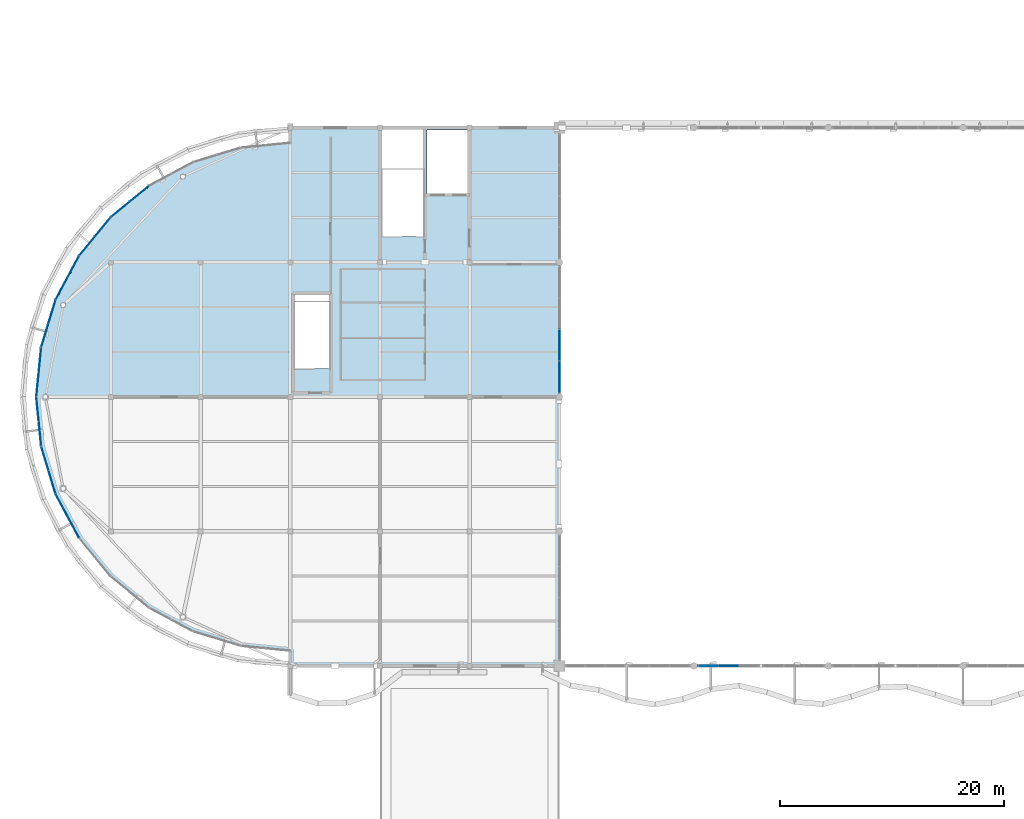
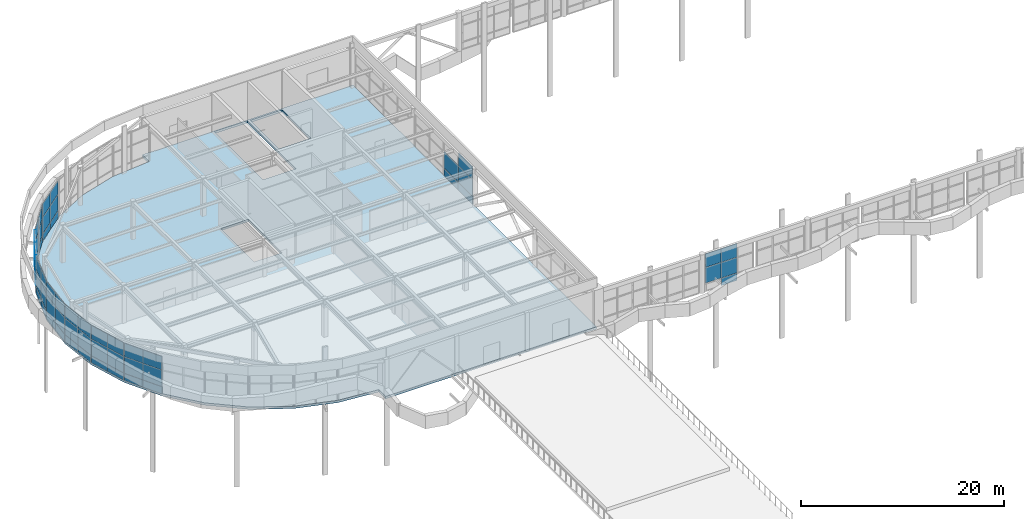
# One storey, part 34 of 63: 58 plates, 1 slab, 10 elements without a shape of their own.
"""IFC4 building model written with IfcOpenShell, lengths in metres."""

from ifc_helpers import new_model, si_unit, direction, frame, origin, origin_2d, place, context, subcontext, project, spatial, polyline, rectangle, outline, extrude, material, layer, layer_set, type_object, element, aggregate, save


model = new_model("IFC4")

# Units and contexts
model_context = context("Model", 3, precision=1e-05, world=origin(), true_north=direction((0.0, 1.0)))
body_context = subcontext(model_context, "Body", "Model", "MODEL_VIEW")
ifc_project = project(units=[si_unit("LENGTHUNIT", "METRE"), si_unit("AREAUNIT", "SQUARE_METRE"), si_unit("VOLUMEUNIT", "CUBIC_METRE"), si_unit("PLANEANGLEUNIT", "RADIAN"), si_unit("MASSUNIT", "GRAM", prefix="KILO")], contexts=[model_context])

# Site, building, storey
site_placement = place(None, origin())
site = spatial("IfcSite", under=ifc_project, at=site_placement, CompositionType="ELEMENT")
building_placement = place(site_placement, origin())
building = spatial("IfcBuilding", under=site, at=building_placement, Name="Keelwater Ferry Terminal", CompositionType="ELEMENT")
storey_placement = place(building_placement, frame((0.0, 0.0, 10.199951171875)))
storey = spatial("IfcBuildingStorey", under=building, at=storey_placement, Name="L02", CompositionType="ELEMENT", Elevation=10.199951171875)

# Curtain wall, plate
ifc_material_1 = material(Name="Thermally broken unitised aluminium and triple glass", Category="aluminium")
ifc_layer_1 = layer(ifc_material_1, 0.179931640625)
ifc_layer_set_1 = layer_set([ifc_layer_1], Name="Thermally broken unitised aluminium and triple glass")
curtain_wall_type_1 = type_object("IfcCurtainWallType", Name="CW-04 Unitised Curtain Wall 5430x4450", PredefinedType="USERDEFINED", material=ifc_layer_set_1)
curtain_wall_1_placement = place(storey_placement, origin())
curtain_wall_1 = element("IfcCurtainWall", 1, at=curtain_wall_1_placement, inside=storey, type_object=curtain_wall_type_1, Name="Unitised Curtain Wall CW-L02-013", ObjectType="UNITISED CURTAIN WALL", PredefinedType="USERDEFINED")
ifc_material_2 = material(Name="Insulated white cassette spandrel", Category="aluminium")
ifc_layer_2 = layer(ifc_material_2, 0.094970703125)
ifc_layer_set_2 = layer_set([ifc_layer_2], Name="Insulated white cassette spandrel")
plate_type_1 = type_object("IfcPlateType", Name="CWP-S2 Insulated Spandrel Panel 95", PredefinedType="CURTAIN_PANEL", material=ifc_layer_set_2)
plate_1_placement = place(storey_placement, frame((63.090087890625, 42.0, 0.0), z_axis=(0.0, 0.0, 1.0), x_axis=(1.0, 0.0, 0.0)))
plate_1 = element("IfcPlate", 2, at=plate_1_placement, type_object=plate_type_1, Name="CW-L02-013 Panel 2.1", PredefinedType="CURTAIN_PANEL", context=body_context, shape_type="SweptSolid", body=[
    extrude(rectangle(XDim=1.81005859375, YDim=0.094970703125, at=origin_2d()), origin(), (0.0, 0.0, 1.0), 0.89990234375),
])

# Curtain wall, plates
ifc_material_3 = material(Name="Thermally broken unitised aluminium and triple glass", Category="aluminium")
ifc_layer_3 = layer(ifc_material_3, 0.179931640625)
ifc_layer_set_3 = layer_set([ifc_layer_3], Name="Thermally broken unitised aluminium and triple glass")
curtain_wall_type_2 = type_object("IfcCurtainWallType", Name="CW-15 Unitised Curtain Wall 11250x4450", PredefinedType="USERDEFINED", material=ifc_layer_set_3)
curtain_wall_2_placement = place(storey_placement, origin())
curtain_wall_2 = element("IfcCurtainWall", 3, at=curtain_wall_2_placement, inside=storey, type_object=curtain_wall_type_2, Name="Unitised Curtain Wall CW-L02-072", ObjectType="UNITISED CURTAIN WALL", PredefinedType="USERDEFINED")
plate_2_placement = place(storey_placement, frame((48.0, 67.78125, 0.0), z_axis=(0.0, 0.0, 1.0), x_axis=(0.0, 1.0, 0.0)))
plate_2 = element("IfcPlate", 4, at=plate_2_placement, type_object=plate_type_1, Name="CW-L02-072 Panel 1.1", PredefinedType="CURTAIN_PANEL", context=body_context, shape_type="SweptSolid", body=[
    extrude(rectangle(XDim=2.8125, YDim=0.094970703125, at=origin_2d()), origin(), (0.0, 0.0, 1.0), 0.89990234375),
])
plate_3_placement = place(storey_placement, frame((48.0, 70.59375, 0.0), z_axis=(0.0, 0.0, 1.0), x_axis=(0.0, 1.0, 0.0)))
plate_3 = element("IfcPlate", 5, at=plate_3_placement, type_object=plate_type_1, Name="CW-L02-072 Panel 2.1", PredefinedType="CURTAIN_PANEL", context=body_context, shape_type="SweptSolid", body=[
    extrude(rectangle(XDim=2.8125, YDim=0.094970703125, at=origin_2d()), origin(), (0.0, 0.0, 1.0), 0.89990234375),
])

ifc_material_4 = material(Name="Thermally broken unitised aluminium and triple glass", Category="aluminium")
ifc_layer_4 = layer(ifc_material_4, 0.179931640625)
ifc_layer_set_4 = layer_set([ifc_layer_4], Name="Thermally broken unitised aluminium and triple glass")
curtain_wall_type_3 = type_object("IfcCurtainWallType", Name="CW-18 Unitised Curtain Wall 4350x4480", PredefinedType="USERDEFINED", material=ifc_layer_set_4)
curtain_wall_3_placement = place(storey_placement, origin())
curtain_wall_3 = element("IfcCurtainWall", 6, at=curtain_wall_3_placement, inside=storey, type_object=curtain_wall_type_3, Name="Unitised Curtain Wall CW-L02-144", ObjectType="UNITISED CURTAIN WALL", PredefinedType="USERDEFINED")
plate_4_placement = place(storey_placement, frame((10.54052734375, 84.1142578125, 0.0), z_axis=(0.0, 0.0, 1.0), x_axis=(-0.773024220086, -0.634376508991, 0.0)))
plate_4 = element("IfcPlate", 7, at=plate_4_placement, type_object=plate_type_1, Name="CW-L02-144 Panel 1.1", PredefinedType="CURTAIN_PANEL", context=body_context, shape_type="SweptSolid", body=[
    extrude(rectangle(XDim=2.174560546875, YDim=0.094970703125, at=origin_2d()), origin(), (0.0, 0.0, 1.0), 0.85009765625),
])
plate_5_placement = place(storey_placement, frame((8.859619140625, 82.73486328125, 0.0), z_axis=(0.0, 0.0, 1.0), x_axis=(-0.773024220086, -0.634376508991, 0.0)))
plate_5 = element("IfcPlate", 8, at=plate_5_placement, type_object=plate_type_1, Name="CW-L02-144 Panel 2.1", PredefinedType="CURTAIN_PANEL", context=body_context, shape_type="SweptSolid", body=[
    extrude(rectangle(XDim=2.174560546875, YDim=0.094970703125, at=origin_2d()), origin(), (0.0, 0.0, 1.0), 0.85009765625),
])

curtain_wall_4_placement = place(storey_placement, origin())
curtain_wall_4 = element("IfcCurtainWall", 9, at=curtain_wall_4_placement, inside=storey, type_object=curtain_wall_type_3, Name="Unitised Curtain Wall CW-L02-145", ObjectType="UNITISED CURTAIN WALL", PredefinedType="USERDEFINED")
plate_6_placement = place(storey_placement, frame((7.26513671875, 81.140380859375, 0.0), z_axis=(0.0, 0.0, 1.0), x_axis=(-0.634376508991, -0.773024220086, 0.0)))
plate_6 = element("IfcPlate", 10, at=plate_6_placement, type_object=plate_type_1, Name="CW-L02-145 Panel 1.1", PredefinedType="CURTAIN_PANEL", context=body_context, shape_type="SweptSolid", body=[
    extrude(rectangle(XDim=2.174560546875, YDim=0.094970703125, at=origin_2d()), origin(), (0.0, 0.0, 1.0), 0.85009765625),
])
plate_7_placement = place(storey_placement, frame((5.8857421875, 79.45947265625, 0.0), z_axis=(0.0, 0.0, 1.0), x_axis=(-0.634376508991, -0.773024220086, 0.0)))
plate_7 = element("IfcPlate", 11, at=plate_7_placement, type_object=plate_type_1, Name="CW-L02-145 Panel 2.1", PredefinedType="CURTAIN_PANEL", context=body_context, shape_type="SweptSolid", body=[
    extrude(rectangle(XDim=2.174560546875, YDim=0.094970703125, at=origin_2d()), origin(), (0.0, 0.0, 1.0), 0.85009765625),
])

curtain_wall_5_placement = place(storey_placement, origin())
curtain_wall_5 = element("IfcCurtainWall", 12, at=curtain_wall_5_placement, inside=storey, type_object=curtain_wall_type_3, Name="Unitised Curtain Wall CW-L02-146", ObjectType="UNITISED CURTAIN WALL", PredefinedType="USERDEFINED")
plate_8_placement = place(storey_placement, frame((4.63330078125, 77.5849609375, 0.0), z_axis=(0.0, 0.0, 1.0), x_axis=(-0.471506749303, -0.881862452632, 0.0)))
plate_8 = element("IfcPlate", 13, at=plate_8_placement, type_object=plate_type_1, Name="CW-L02-146 Panel 1.1", PredefinedType="CURTAIN_PANEL", context=body_context, shape_type="SweptSolid", body=[
    extrude(rectangle(XDim=2.175048828125, YDim=0.094970703125, at=origin_2d()), origin(), (0.0, 0.0, 1.0), 0.85009765625),
])
plate_9_placement = place(storey_placement, frame((3.607666015625, 75.6669921875, 0.0), z_axis=(0.0, 0.0, 1.0), x_axis=(-0.471506749303, -0.881862452632, 0.0)))
plate_9 = element("IfcPlate", 14, at=plate_9_placement, type_object=plate_type_1, Name="CW-L02-146 Panel 2.1", PredefinedType="CURTAIN_PANEL", context=body_context, shape_type="SweptSolid", body=[
    extrude(rectangle(XDim=2.175048828125, YDim=0.094970703125, at=origin_2d()), origin(), (0.0, 0.0, 1.0), 0.85009765625),
])

curtain_wall_6_placement = place(storey_placement, origin())
curtain_wall_6 = element("IfcCurtainWall", 15, at=curtain_wall_6_placement, inside=storey, type_object=curtain_wall_type_3, Name="Unitised Curtain Wall CW-L02-147", ObjectType="UNITISED CURTAIN WALL", PredefinedType="USERDEFINED")
plate_10_placement = place(storey_placement, frame((2.745361328125, 73.584228515625, 0.0), z_axis=(0.0, 0.0, 1.0), x_axis=(-0.290319989003, -0.956929623319, 0.0)))
plate_10 = element("IfcPlate", 16, at=plate_10_placement, type_object=plate_type_1, Name="CW-L02-147 Panel 1.1", PredefinedType="CURTAIN_PANEL", context=body_context, shape_type="SweptSolid", body=[
    extrude(rectangle(XDim=2.17529296875, YDim=0.094970703125, at=origin_2d()), origin(), (0.0, 0.0, 1.0), 0.85009765625),
])
plate_11_placement = place(storey_placement, frame((2.11376953125, 71.502685546875, 0.0), z_axis=(0.0, 0.0, 1.0), x_axis=(-0.290319989003, -0.956929623319, 0.0)))
plate_11 = element("IfcPlate", 17, at=plate_11_placement, type_object=plate_type_1, Name="CW-L02-147 Panel 2.1", PredefinedType="CURTAIN_PANEL", context=body_context, shape_type="SweptSolid", body=[
    extrude(rectangle(XDim=2.17529296875, YDim=0.094970703125, at=origin_2d()), origin(), (0.0, 0.0, 1.0), 0.85009765625),
])

curtain_wall_7_placement = place(storey_placement, origin())
curtain_wall_7 = element("IfcCurtainWall", 18, at=curtain_wall_7_placement, inside=storey, type_object=curtain_wall_type_3, Name="Unitised Curtain Wall CW-L02-148", ObjectType="UNITISED CURTAIN WALL", PredefinedType="USERDEFINED")
plate_12_placement = place(storey_placement, frame((1.67431640625, 69.291748046875, 0.0), z_axis=(0.0, 0.0, 1.0), x_axis=(-0.098160737969, -0.995170573079, 0.0)))
plate_12 = element("IfcPlate", 19, at=plate_12_placement, type_object=plate_type_1, Name="CW-L02-148 Panel 1.1", PredefinedType="CURTAIN_PANEL", context=body_context, shape_type="SweptSolid", body=[
    extrude(rectangle(XDim=2.175048828125, YDim=0.094970703125, at=origin_2d()), origin(), (0.0, 0.0, 1.0), 0.85009765625),
])
plate_13_placement = place(storey_placement, frame((1.460693359375, 67.127197265625, 0.0), z_axis=(0.0, 0.0, 1.0), x_axis=(-0.098160737969, -0.995170573079, 0.0)))
plate_13 = element("IfcPlate", 20, at=plate_13_placement, type_object=plate_type_1, Name="CW-L02-148 Panel 2.1", PredefinedType="CURTAIN_PANEL", context=body_context, shape_type="SweptSolid", body=[
    extrude(rectangle(XDim=2.175048828125, YDim=0.094970703125, at=origin_2d()), origin(), (0.0, 0.0, 1.0), 0.85009765625),
])

curtain_wall_8_placement = place(storey_placement, origin())
curtain_wall_8 = element("IfcCurtainWall", 21, at=curtain_wall_8_placement, inside=storey, type_object=curtain_wall_type_3, Name="Unitised Curtain Wall CW-L02-149", ObjectType="UNITISED CURTAIN WALL", PredefinedType="USERDEFINED")
plate_14_placement = place(storey_placement, frame((1.460693359375, 64.872802734375, 0.0), z_axis=(0.0, 0.0, 1.0), x_axis=(0.098160737969, -0.995170573079, 0.0)))
plate_14 = element("IfcPlate", 22, at=plate_14_placement, type_object=plate_type_1, Name="CW-L02-149 Panel 1.1", PredefinedType="CURTAIN_PANEL", context=body_context, shape_type="SweptSolid", body=[
    extrude(rectangle(XDim=2.175048828125, YDim=0.094970703125, at=origin_2d()), origin(), (0.0, 0.0, 1.0), 0.85009765625),
])
plate_15_placement = place(storey_placement, frame((1.67431640625, 62.708251953125, 0.0), z_axis=(0.0, 0.0, 1.0), x_axis=(0.098160737969, -0.995170573079, 0.0)))
plate_15 = element("IfcPlate", 23, at=plate_15_placement, type_object=plate_type_1, Name="CW-L02-149 Panel 2.1", PredefinedType="CURTAIN_PANEL", context=body_context, shape_type="SweptSolid", body=[
    extrude(rectangle(XDim=2.175048828125, YDim=0.094970703125, at=origin_2d()), origin(), (0.0, 0.0, 1.0), 0.85009765625),
])

curtain_wall_9_placement = place(storey_placement, origin())
curtain_wall_9 = element("IfcCurtainWall", 24, at=curtain_wall_9_placement, inside=storey, type_object=curtain_wall_type_3, Name="Unitised Curtain Wall CW-L02-150", ObjectType="UNITISED CURTAIN WALL", PredefinedType="USERDEFINED")
plate_16_placement = place(storey_placement, frame((2.11376953125, 60.497314453125, 0.0), z_axis=(0.0, 0.0, 1.0), x_axis=(0.290319989003, -0.956929623319, 0.0)))
plate_16 = element("IfcPlate", 25, at=plate_16_placement, type_object=plate_type_1, Name="CW-L02-150 Panel 1.1", PredefinedType="CURTAIN_PANEL", context=body_context, shape_type="SweptSolid", body=[
    extrude(rectangle(XDim=2.17529296875, YDim=0.094970703125, at=origin_2d()), origin(), (0.0, 0.0, 1.0), 0.85009765625),
])
plate_17_placement = place(storey_placement, frame((2.745361328125, 58.415771484375, 0.0), z_axis=(0.0, 0.0, 1.0), x_axis=(0.290319989003, -0.956929623319, 0.0)))
plate_17 = element("IfcPlate", 26, at=plate_17_placement, type_object=plate_type_1, Name="CW-L02-150 Panel 2.1", PredefinedType="CURTAIN_PANEL", context=body_context, shape_type="SweptSolid", body=[
    extrude(rectangle(XDim=2.17529296875, YDim=0.094970703125, at=origin_2d()), origin(), (0.0, 0.0, 1.0), 0.85009765625),
])

curtain_wall_10_placement = place(storey_placement, origin())
curtain_wall_10 = element("IfcCurtainWall", 27, at=curtain_wall_10_placement, inside=storey, type_object=curtain_wall_type_3, Name="Unitised Curtain Wall CW-L02-151", ObjectType="UNITISED CURTAIN WALL", PredefinedType="USERDEFINED")
plate_18_placement = place(storey_placement, frame((3.607666015625, 56.3330078125, 0.0), z_axis=(0.0, 0.0, 1.0), x_axis=(0.471506749303, -0.881862452632, 0.0)))
plate_18 = element("IfcPlate", 28, at=plate_18_placement, type_object=plate_type_1, Name="CW-L02-151 Panel 1.1", PredefinedType="CURTAIN_PANEL", context=body_context, shape_type="SweptSolid", body=[
    extrude(rectangle(XDim=2.175048828125, YDim=0.094970703125, at=origin_2d()), origin(), (0.0, 0.0, 1.0), 0.85009765625),
])
plate_19_placement = place(storey_placement, frame((4.63330078125, 54.4150390625, 0.0), z_axis=(0.0, 0.0, 1.0), x_axis=(0.471506749303, -0.881862452632, 0.0)))
plate_19 = element("IfcPlate", 29, at=plate_19_placement, type_object=plate_type_1, Name="CW-L02-151 Panel 2.1", PredefinedType="CURTAIN_PANEL", context=body_context, shape_type="SweptSolid", body=[
    extrude(rectangle(XDim=2.175048828125, YDim=0.094970703125, at=origin_2d()), origin(), (0.0, 0.0, 1.0), 0.85009765625),
])

# Plate
ifc_material_5 = material(Name="Triple low-E laminated glass", Category="glass")
ifc_layer_5 = layer(ifc_material_5, 0.035888671875)
ifc_layer_set_5 = layer_set([ifc_layer_5], Name="Triple low-E laminated glass")
plate_type_2 = type_object("IfcPlateType", Name="CWP-V1 Glazed Vision Panel 36", PredefinedType="CURTAIN_PANEL", material=ifc_layer_set_5)
plate_20_placement = place(storey_placement, frame((10.54052734375, 84.1142578125, 0.85009765625), z_axis=(0.0, 0.0, 1.0), x_axis=(-0.773024220086, -0.634376508991, 0.0)))
plate_20 = element("IfcPlate", 30, at=plate_20_placement, type_object=plate_type_2, Name="CW-L02-144 Panel 1.2", PredefinedType="CURTAIN_PANEL", context=body_context, shape_type="SweptSolid", body=[
    extrude(rectangle(XDim=2.174560546875, YDim=0.035888671875, at=origin_2d()), origin(), (0.0, 0.0, 1.0), 2.0),
])

plate_21_placement = place(storey_placement, frame((10.54052734375, 84.1142578125, 2.85009765625), z_axis=(0.0, 0.0, 1.0), x_axis=(-0.773024220086, -0.634376508991, 0.0)))
plate_21 = element("IfcPlate", 31, at=plate_21_placement, type_object=plate_type_2, Name="CW-L02-144 Panel 1.3", PredefinedType="CURTAIN_PANEL", context=body_context, shape_type="SweptSolid", body=[
    extrude(rectangle(XDim=2.174560546875, YDim=0.035888671875, at=origin_2d()), origin(), (0.0, 0.0, 1.0), 1.6298828125),
])

plate_22_placement = place(storey_placement, frame((8.859619140625, 82.73486328125, 0.85009765625), z_axis=(0.0, 0.0, 1.0), x_axis=(-0.773024220086, -0.634376508991, 0.0)))
plate_22 = element("IfcPlate", 32, at=plate_22_placement, type_object=plate_type_2, Name="CW-L02-144 Panel 2.2", PredefinedType="CURTAIN_PANEL", context=body_context, shape_type="SweptSolid", body=[
    extrude(rectangle(XDim=2.174560546875, YDim=0.035888671875, at=origin_2d()), origin(), (0.0, 0.0, 1.0), 2.0),
])

plate_23_placement = place(storey_placement, frame((8.859619140625, 82.73486328125, 2.85009765625), z_axis=(0.0, 0.0, 1.0), x_axis=(-0.773024220086, -0.634376508991, 0.0)))
plate_23 = element("IfcPlate", 33, at=plate_23_placement, type_object=plate_type_2, Name="CW-L02-144 Panel 2.3", PredefinedType="CURTAIN_PANEL", context=body_context, shape_type="SweptSolid", body=[
    extrude(rectangle(XDim=2.174560546875, YDim=0.035888671875, at=origin_2d()), origin(), (0.0, 0.0, 1.0), 1.6298828125),
])

aggregate(curtain_wall_3, [plate_4, plate_20, plate_21, plate_5, plate_22, plate_23])

plate_24_placement = place(storey_placement, frame((7.26513671875, 81.140380859375, 0.85009765625), z_axis=(0.0, 0.0, 1.0), x_axis=(-0.634376508991, -0.773024220086, 0.0)))
plate_24 = element("IfcPlate", 34, at=plate_24_placement, type_object=plate_type_2, Name="CW-L02-145 Panel 1.2", PredefinedType="CURTAIN_PANEL", context=body_context, shape_type="SweptSolid", body=[
    extrude(rectangle(XDim=2.174560546875, YDim=0.035888671875, at=origin_2d()), origin(), (0.0, 0.0, 1.0), 2.0),
])

plate_25_placement = place(storey_placement, frame((7.26513671875, 81.140380859375, 2.85009765625), z_axis=(0.0, 0.0, 1.0), x_axis=(-0.634376508991, -0.773024220086, 0.0)))
plate_25 = element("IfcPlate", 35, at=plate_25_placement, type_object=plate_type_2, Name="CW-L02-145 Panel 1.3", PredefinedType="CURTAIN_PANEL", context=body_context, shape_type="SweptSolid", body=[
    extrude(rectangle(XDim=2.174560546875, YDim=0.035888671875, at=origin_2d()), origin(), (0.0, 0.0, 1.0), 1.6298828125),
])

plate_26_placement = place(storey_placement, frame((5.8857421875, 79.45947265625, 0.85009765625), z_axis=(0.0, 0.0, 1.0), x_axis=(-0.634376508991, -0.773024220086, 0.0)))
plate_26 = element("IfcPlate", 36, at=plate_26_placement, type_object=plate_type_2, Name="CW-L02-145 Panel 2.2", PredefinedType="CURTAIN_PANEL", context=body_context, shape_type="SweptSolid", body=[
    extrude(rectangle(XDim=2.174560546875, YDim=0.035888671875, at=origin_2d()), origin(), (0.0, 0.0, 1.0), 2.0),
])

plate_27_placement = place(storey_placement, frame((5.8857421875, 79.45947265625, 2.85009765625), z_axis=(0.0, 0.0, 1.0), x_axis=(-0.634376508991, -0.773024220086, 0.0)))
plate_27 = element("IfcPlate", 37, at=plate_27_placement, type_object=plate_type_2, Name="CW-L02-145 Panel 2.3", PredefinedType="CURTAIN_PANEL", context=body_context, shape_type="SweptSolid", body=[
    extrude(rectangle(XDim=2.174560546875, YDim=0.035888671875, at=origin_2d()), origin(), (0.0, 0.0, 1.0), 1.6298828125),
])

aggregate(curtain_wall_4, [plate_6, plate_24, plate_25, plate_7, plate_26, plate_27])

plate_28_placement = place(storey_placement, frame((4.63330078125, 77.5849609375, 0.85009765625), z_axis=(0.0, 0.0, 1.0), x_axis=(-0.471506749303, -0.881862452632, 0.0)))
plate_28 = element("IfcPlate", 38, at=plate_28_placement, type_object=plate_type_2, Name="CW-L02-146 Panel 1.2", PredefinedType="CURTAIN_PANEL", context=body_context, shape_type="SweptSolid", body=[
    extrude(rectangle(XDim=2.175048828125, YDim=0.035888671875, at=origin_2d()), origin(), (0.0, 0.0, 1.0), 2.0),
])

plate_29_placement = place(storey_placement, frame((4.63330078125, 77.5849609375, 2.85009765625), z_axis=(0.0, 0.0, 1.0), x_axis=(-0.471506749303, -0.881862452632, 0.0)))
plate_29 = element("IfcPlate", 39, at=plate_29_placement, type_object=plate_type_2, Name="CW-L02-146 Panel 1.3", PredefinedType="CURTAIN_PANEL", context=body_context, shape_type="SweptSolid", body=[
    extrude(rectangle(XDim=2.175048828125, YDim=0.035888671875, at=origin_2d()), origin(), (0.0, 0.0, 1.0), 1.6298828125),
])

plate_30_placement = place(storey_placement, frame((3.607666015625, 75.6669921875, 0.85009765625), z_axis=(0.0, 0.0, 1.0), x_axis=(-0.471506749303, -0.881862452632, 0.0)))
plate_30 = element("IfcPlate", 40, at=plate_30_placement, type_object=plate_type_2, Name="CW-L02-146 Panel 2.2", PredefinedType="CURTAIN_PANEL", context=body_context, shape_type="SweptSolid", body=[
    extrude(rectangle(XDim=2.175048828125, YDim=0.035888671875, at=origin_2d()), origin(), (0.0, 0.0, 1.0), 2.0),
])

plate_31_placement = place(storey_placement, frame((3.607666015625, 75.6669921875, 2.85009765625), z_axis=(0.0, 0.0, 1.0), x_axis=(-0.471506749303, -0.881862452632, 0.0)))
plate_31 = element("IfcPlate", 41, at=plate_31_placement, type_object=plate_type_2, Name="CW-L02-146 Panel 2.3", PredefinedType="CURTAIN_PANEL", context=body_context, shape_type="SweptSolid", body=[
    extrude(rectangle(XDim=2.175048828125, YDim=0.035888671875, at=origin_2d()), origin(), (0.0, 0.0, 1.0), 1.6298828125),
])

aggregate(curtain_wall_5, [plate_8, plate_28, plate_29, plate_9, plate_30, plate_31])

plate_32_placement = place(storey_placement, frame((2.745361328125, 73.584228515625, 0.85009765625), z_axis=(0.0, 0.0, 1.0), x_axis=(-0.290319989003, -0.956929623319, 0.0)))
plate_32 = element("IfcPlate", 42, at=plate_32_placement, type_object=plate_type_2, Name="CW-L02-147 Panel 1.2", PredefinedType="CURTAIN_PANEL", context=body_context, shape_type="SweptSolid", body=[
    extrude(rectangle(XDim=2.17529296875, YDim=0.035888671875, at=origin_2d()), origin(), (0.0, 0.0, 1.0), 2.0),
])

plate_33_placement = place(storey_placement, frame((2.745361328125, 73.584228515625, 2.85009765625), z_axis=(0.0, 0.0, 1.0), x_axis=(-0.290319989003, -0.956929623319, 0.0)))
plate_33 = element("IfcPlate", 43, at=plate_33_placement, type_object=plate_type_2, Name="CW-L02-147 Panel 1.3", PredefinedType="CURTAIN_PANEL", context=body_context, shape_type="SweptSolid", body=[
    extrude(rectangle(XDim=2.17529296875, YDim=0.035888671875, at=origin_2d()), origin(), (0.0, 0.0, 1.0), 1.6298828125),
])

plate_34_placement = place(storey_placement, frame((2.11376953125, 71.502685546875, 0.85009765625), z_axis=(0.0, 0.0, 1.0), x_axis=(-0.290319989003, -0.956929623319, 0.0)))
plate_34 = element("IfcPlate", 44, at=plate_34_placement, type_object=plate_type_2, Name="CW-L02-147 Panel 2.2", PredefinedType="CURTAIN_PANEL", context=body_context, shape_type="SweptSolid", body=[
    extrude(rectangle(XDim=2.17529296875, YDim=0.035888671875, at=origin_2d()), origin(), (0.0, 0.0, 1.0), 2.0),
])

plate_35_placement = place(storey_placement, frame((2.11376953125, 71.502685546875, 2.85009765625), z_axis=(0.0, 0.0, 1.0), x_axis=(-0.290319989003, -0.956929623319, 0.0)))
plate_35 = element("IfcPlate", 45, at=plate_35_placement, type_object=plate_type_2, Name="CW-L02-147 Panel 2.3", PredefinedType="CURTAIN_PANEL", context=body_context, shape_type="SweptSolid", body=[
    extrude(rectangle(XDim=2.17529296875, YDim=0.035888671875, at=origin_2d()), origin(), (0.0, 0.0, 1.0), 1.6298828125),
])

aggregate(curtain_wall_6, [plate_10, plate_32, plate_33, plate_11, plate_34, plate_35])

plate_36_placement = place(storey_placement, frame((1.67431640625, 69.291748046875, 0.85009765625), z_axis=(0.0, 0.0, 1.0), x_axis=(-0.098160737969, -0.995170573079, 0.0)))
plate_36 = element("IfcPlate", 46, at=plate_36_placement, type_object=plate_type_2, Name="CW-L02-148 Panel 1.2", PredefinedType="CURTAIN_PANEL", context=body_context, shape_type="SweptSolid", body=[
    extrude(rectangle(XDim=2.175048828125, YDim=0.035888671875, at=origin_2d()), origin(), (0.0, 0.0, 1.0), 2.0),
])

plate_37_placement = place(storey_placement, frame((1.67431640625, 69.291748046875, 2.85009765625), z_axis=(0.0, 0.0, 1.0), x_axis=(-0.098160737969, -0.995170573079, 0.0)))
plate_37 = element("IfcPlate", 47, at=plate_37_placement, type_object=plate_type_2, Name="CW-L02-148 Panel 1.3", PredefinedType="CURTAIN_PANEL", context=body_context, shape_type="SweptSolid", body=[
    extrude(rectangle(XDim=2.175048828125, YDim=0.035888671875, at=origin_2d()), origin(), (0.0, 0.0, 1.0), 1.6298828125),
])

plate_38_placement = place(storey_placement, frame((1.460693359375, 67.127197265625, 0.85009765625), z_axis=(0.0, 0.0, 1.0), x_axis=(-0.098160737969, -0.995170573079, 0.0)))
plate_38 = element("IfcPlate", 48, at=plate_38_placement, type_object=plate_type_2, Name="CW-L02-148 Panel 2.2", PredefinedType="CURTAIN_PANEL", context=body_context, shape_type="SweptSolid", body=[
    extrude(rectangle(XDim=2.175048828125, YDim=0.035888671875, at=origin_2d()), origin(), (0.0, 0.0, 1.0), 2.0),
])

plate_39_placement = place(storey_placement, frame((1.460693359375, 67.127197265625, 2.85009765625), z_axis=(0.0, 0.0, 1.0), x_axis=(-0.098160737969, -0.995170573079, 0.0)))
plate_39 = element("IfcPlate", 49, at=plate_39_placement, type_object=plate_type_2, Name="CW-L02-148 Panel 2.3", PredefinedType="CURTAIN_PANEL", context=body_context, shape_type="SweptSolid", body=[
    extrude(rectangle(XDim=2.175048828125, YDim=0.035888671875, at=origin_2d()), origin(), (0.0, 0.0, 1.0), 1.6298828125),
])

aggregate(curtain_wall_7, [plate_12, plate_36, plate_37, plate_13, plate_38, plate_39])

plate_40_placement = place(storey_placement, frame((1.460693359375, 64.872802734375, 0.85009765625), z_axis=(0.0, 0.0, 1.0), x_axis=(0.098160737969, -0.995170573079, 0.0)))
plate_40 = element("IfcPlate", 50, at=plate_40_placement, type_object=plate_type_2, Name="CW-L02-149 Panel 1.2", PredefinedType="CURTAIN_PANEL", context=body_context, shape_type="SweptSolid", body=[
    extrude(rectangle(XDim=2.175048828125, YDim=0.035888671875, at=origin_2d()), origin(), (0.0, 0.0, 1.0), 2.0),
])

plate_41_placement = place(storey_placement, frame((1.460693359375, 64.872802734375, 2.85009765625), z_axis=(0.0, 0.0, 1.0), x_axis=(0.098160737969, -0.995170573079, 0.0)))
plate_41 = element("IfcPlate", 51, at=plate_41_placement, type_object=plate_type_2, Name="CW-L02-149 Panel 1.3", PredefinedType="CURTAIN_PANEL", context=body_context, shape_type="SweptSolid", body=[
    extrude(rectangle(XDim=2.175048828125, YDim=0.035888671875, at=origin_2d()), origin(), (0.0, 0.0, 1.0), 1.6298828125),
])

plate_42_placement = place(storey_placement, frame((1.67431640625, 62.708251953125, 0.85009765625), z_axis=(0.0, 0.0, 1.0), x_axis=(0.098160737969, -0.995170573079, 0.0)))
plate_42 = element("IfcPlate", 52, at=plate_42_placement, type_object=plate_type_2, Name="CW-L02-149 Panel 2.2", PredefinedType="CURTAIN_PANEL", context=body_context, shape_type="SweptSolid", body=[
    extrude(rectangle(XDim=2.175048828125, YDim=0.035888671875, at=origin_2d()), origin(), (0.0, 0.0, 1.0), 2.0),
])

plate_43_placement = place(storey_placement, frame((1.67431640625, 62.708251953125, 2.85009765625), z_axis=(0.0, 0.0, 1.0), x_axis=(0.098160737969, -0.995170573079, 0.0)))
plate_43 = element("IfcPlate", 53, at=plate_43_placement, type_object=plate_type_2, Name="CW-L02-149 Panel 2.3", PredefinedType="CURTAIN_PANEL", context=body_context, shape_type="SweptSolid", body=[
    extrude(rectangle(XDim=2.175048828125, YDim=0.035888671875, at=origin_2d()), origin(), (0.0, 0.0, 1.0), 1.6298828125),
])

aggregate(curtain_wall_8, [plate_14, plate_40, plate_41, plate_15, plate_42, plate_43])

plate_44_placement = place(storey_placement, frame((2.11376953125, 60.497314453125, 0.85009765625), z_axis=(0.0, 0.0, 1.0), x_axis=(0.290319989003, -0.956929623319, 0.0)))
plate_44 = element("IfcPlate", 54, at=plate_44_placement, type_object=plate_type_2, Name="CW-L02-150 Panel 1.2", PredefinedType="CURTAIN_PANEL", context=body_context, shape_type="SweptSolid", body=[
    extrude(rectangle(XDim=2.17529296875, YDim=0.035888671875, at=origin_2d()), origin(), (0.0, 0.0, 1.0), 2.0),
])

plate_45_placement = place(storey_placement, frame((2.11376953125, 60.497314453125, 2.85009765625), z_axis=(0.0, 0.0, 1.0), x_axis=(0.290319989003, -0.956929623319, 0.0)))
plate_45 = element("IfcPlate", 55, at=plate_45_placement, type_object=plate_type_2, Name="CW-L02-150 Panel 1.3", PredefinedType="CURTAIN_PANEL", context=body_context, shape_type="SweptSolid", body=[
    extrude(rectangle(XDim=2.17529296875, YDim=0.035888671875, at=origin_2d()), origin(), (0.0, 0.0, 1.0), 1.6298828125),
])

plate_46_placement = place(storey_placement, frame((2.745361328125, 58.415771484375, 0.85009765625), z_axis=(0.0, 0.0, 1.0), x_axis=(0.290319989003, -0.956929623319, 0.0)))
plate_46 = element("IfcPlate", 56, at=plate_46_placement, type_object=plate_type_2, Name="CW-L02-150 Panel 2.2", PredefinedType="CURTAIN_PANEL", context=body_context, shape_type="SweptSolid", body=[
    extrude(rectangle(XDim=2.17529296875, YDim=0.035888671875, at=origin_2d()), origin(), (0.0, 0.0, 1.0), 2.0),
])

plate_47_placement = place(storey_placement, frame((2.745361328125, 58.415771484375, 2.85009765625), z_axis=(0.0, 0.0, 1.0), x_axis=(0.290319989003, -0.956929623319, 0.0)))
plate_47 = element("IfcPlate", 57, at=plate_47_placement, type_object=plate_type_2, Name="CW-L02-150 Panel 2.3", PredefinedType="CURTAIN_PANEL", context=body_context, shape_type="SweptSolid", body=[
    extrude(rectangle(XDim=2.17529296875, YDim=0.035888671875, at=origin_2d()), origin(), (0.0, 0.0, 1.0), 1.6298828125),
])

aggregate(curtain_wall_9, [plate_16, plate_44, plate_45, plate_17, plate_46, plate_47])

plate_48_placement = place(storey_placement, frame((3.607666015625, 56.3330078125, 0.85009765625), z_axis=(0.0, 0.0, 1.0), x_axis=(0.471506749303, -0.881862452632, 0.0)))
plate_48 = element("IfcPlate", 58, at=plate_48_placement, type_object=plate_type_2, Name="CW-L02-151 Panel 1.2", PredefinedType="CURTAIN_PANEL", context=body_context, shape_type="SweptSolid", body=[
    extrude(rectangle(XDim=2.175048828125, YDim=0.035888671875, at=origin_2d()), origin(), (0.0, 0.0, 1.0), 2.0),
])

plate_49_placement = place(storey_placement, frame((3.607666015625, 56.3330078125, 2.85009765625), z_axis=(0.0, 0.0, 1.0), x_axis=(0.471506749303, -0.881862452632, 0.0)))
plate_49 = element("IfcPlate", 59, at=plate_49_placement, type_object=plate_type_2, Name="CW-L02-151 Panel 1.3", PredefinedType="CURTAIN_PANEL", context=body_context, shape_type="SweptSolid", body=[
    extrude(rectangle(XDim=2.175048828125, YDim=0.035888671875, at=origin_2d()), origin(), (0.0, 0.0, 1.0), 1.6298828125),
])

plate_50_placement = place(storey_placement, frame((4.63330078125, 54.4150390625, 0.85009765625), z_axis=(0.0, 0.0, 1.0), x_axis=(0.471506749303, -0.881862452632, 0.0)))
plate_50 = element("IfcPlate", 60, at=plate_50_placement, type_object=plate_type_2, Name="CW-L02-151 Panel 2.2", PredefinedType="CURTAIN_PANEL", context=body_context, shape_type="SweptSolid", body=[
    extrude(rectangle(XDim=2.175048828125, YDim=0.035888671875, at=origin_2d()), origin(), (0.0, 0.0, 1.0), 2.0),
])

plate_51_placement = place(storey_placement, frame((4.63330078125, 54.4150390625, 2.85009765625), z_axis=(0.0, 0.0, 1.0), x_axis=(0.471506749303, -0.881862452632, 0.0)))
plate_51 = element("IfcPlate", 61, at=plate_51_placement, type_object=plate_type_2, Name="CW-L02-151 Panel 2.3", PredefinedType="CURTAIN_PANEL", context=body_context, shape_type="SweptSolid", body=[
    extrude(rectangle(XDim=2.175048828125, YDim=0.035888671875, at=origin_2d()), origin(), (0.0, 0.0, 1.0), 1.6298828125),
])

aggregate(curtain_wall_10, [plate_18, plate_48, plate_49, plate_19, plate_50, plate_51])

ifc_material_6 = material(Name="Triple solar-control glass", Category="glass")
ifc_layer_6 = layer(ifc_material_6, 0.0419921875)
ifc_layer_set_6 = layer_set([ifc_layer_6], Name="Triple solar-control glass")
plate_type_3 = type_object("IfcPlateType", Name="CWP-V2 Glazed Vision Panel 42", PredefinedType="CURTAIN_PANEL", material=ifc_layer_set_6)
plate_52_placement = place(storey_placement, frame((61.280029296875, 42.0, 0.900146484375), z_axis=(0.0, 0.0, 1.0), x_axis=(1.0, 0.0, 0.0)))
plate_52 = element("IfcPlate", 62, at=plate_52_placement, type_object=plate_type_3, Name="CW-L02-013 Panel 1.2", PredefinedType="CURTAIN_PANEL", context=body_context, shape_type="SweptSolid", body=[
    extrude(rectangle(XDim=1.81005859375, YDim=0.0419921875, at=origin_2d()), origin(), (0.0, 0.0, 1.0), 1.89990234375),
])

plate_53_placement = place(storey_placement, frame((61.280029296875, 42.0, 2.800048828125), z_axis=(0.0, 0.0, 1.0), x_axis=(1.0, 0.0, 0.0)))
plate_53 = element("IfcPlate", 63, at=plate_53_placement, type_object=plate_type_3, Name="CW-L02-013 Panel 1.3", PredefinedType="CURTAIN_PANEL", context=body_context, shape_type="SweptSolid", body=[
    extrude(rectangle(XDim=1.81005859375, YDim=0.0419921875, at=origin_2d()), origin(), (0.0, 0.0, 1.0), 1.64990234375),
])

plate_54_placement = place(storey_placement, frame((63.090087890625, 42.0, 0.900146484375), z_axis=(0.0, 0.0, 1.0), x_axis=(1.0, 0.0, 0.0)))
plate_54 = element("IfcPlate", 64, at=plate_54_placement, type_object=plate_type_3, Name="CW-L02-013 Panel 2.2", PredefinedType="CURTAIN_PANEL", context=body_context, shape_type="SweptSolid", body=[
    extrude(rectangle(XDim=1.81005859375, YDim=0.0419921875, at=origin_2d()), origin(), (0.0, 0.0, 1.0), 1.89990234375),
])

plate_55_placement = place(storey_placement, frame((63.090087890625, 42.0, 2.800048828125), z_axis=(0.0, 0.0, 1.0), x_axis=(1.0, 0.0, 0.0)))
plate_55 = element("IfcPlate", 65, at=plate_55_placement, type_object=plate_type_3, Name="CW-L02-013 Panel 2.3", PredefinedType="CURTAIN_PANEL", context=body_context, shape_type="SweptSolid", body=[
    extrude(rectangle(XDim=1.81005859375, YDim=0.0419921875, at=origin_2d()), origin(), (0.0, 0.0, 1.0), 1.64990234375),
])

aggregate(curtain_wall_1, [plate_52, plate_53, plate_1, plate_54, plate_55])

plate_56_placement = place(storey_placement, frame((48.0, 67.78125, 0.900146484375), z_axis=(0.0, 0.0, 1.0), x_axis=(0.0, 1.0, 0.0)))
plate_56 = element("IfcPlate", 66, at=plate_56_placement, type_object=plate_type_3, Name="CW-L02-072 Panel 1.2", PredefinedType="CURTAIN_PANEL", context=body_context, shape_type="SweptSolid", body=[
    extrude(rectangle(XDim=2.8125, YDim=0.0419921875, at=origin_2d()), origin(), (0.0, 0.0, 1.0), 2.0),
])

plate_57_placement = place(storey_placement, frame((48.0, 67.78125, 2.89990234375), z_axis=(0.0, 0.0, 1.0), x_axis=(0.0, 1.0, 0.0)))
plate_57 = element("IfcPlate", 67, at=plate_57_placement, type_object=plate_type_3, Name="CW-L02-072 Panel 1.3", PredefinedType="CURTAIN_PANEL", context=body_context, shape_type="SweptSolid", body=[
    extrude(rectangle(XDim=2.8125, YDim=0.0419921875, at=origin_2d()), origin(), (0.0, 0.0, 1.0), 1.550048828125),
])

plate_58_placement = place(storey_placement, frame((48.0, 70.59375, 0.900146484375), z_axis=(0.0, 0.0, 1.0), x_axis=(0.0, 1.0, 0.0)))
plate_58 = element("IfcPlate", 68, at=plate_58_placement, type_object=plate_type_3, Name="CW-L02-072 Panel 2.2", PredefinedType="CURTAIN_PANEL", context=body_context, shape_type="SweptSolid", body=[
    extrude(rectangle(XDim=2.8125, YDim=0.0419921875, at=origin_2d()), origin(), (0.0, 0.0, 1.0), 2.0),
])

aggregate(curtain_wall_2, [plate_2, plate_56, plate_57, plate_3, plate_58])

# Slab
ifc_material_7 = material(Name="Concrete C40/50", Category="concrete")
ifc_layer_7 = layer(ifc_material_7, 0.280029296875)
ifc_layer_set_7 = layer_set([ifc_layer_7], Name="Concrete C40/50")
slab_type = type_object("IfcSlabType", Name="SL-F280 Suspended Floor Slab 280", PredefinedType="FLOOR", material=ifc_layer_set_7)
slab_placement = place(storey_placement, frame((0.0, 0.0, -0.280029296875)))
element("IfcSlab", 69, at=slab_placement, inside=storey, type_object=slab_type, Name="V4 Level L02 Semicircular Hall Slab SL-L02-040", PredefinedType="FLOOR", context=body_context, shape_type="SweptSolid", body=[
    extrude(outline(polyline([(24.0, 90.0), (24.0, 88.64990234375), (19.5810546875, 88.215087890625), (15.33203125, 86.926025390625), (11.416015625, 84.8330078125), (7.98388671875, 82.01611328125), (5.1669921875, 78.583984375), (3.073974609375, 74.66796875), (1.784912109375, 70.4189453125), (1.35009765625, 66.0), (1.784912109375, 61.5810546875), (3.073974609375, 57.33203125), (5.1669921875, 53.416015625), (7.98388671875, 49.98388671875), (11.416015625, 47.1669921875), (15.33203125, 45.073974609375), (19.5810546875, 43.784912109375), (24.0, 43.35009765625), (24.0, 42.0), (48.0, 42.0), (48.0, 90.0), (24.0, 90.0)]), holes=[polyline([(32.14990234375, 80.320068359375), (35.89990234375, 80.320068359375), (35.89990234375, 89.89990234375), (32.14990234375, 89.89990234375), (32.14990234375, 80.320068359375)]), polyline([(36.199951171875, 84.14990234375), (39.800048828125, 84.14990234375), (39.800048828125, 89.800048828125), (36.199951171875, 89.800048828125), (36.199951171875, 84.14990234375)]), polyline([(24.35009765625, 68.52001953125), (27.5, 68.52001953125), (27.5, 75.14990234375), (24.35009765625, 75.14990234375), (24.35009765625, 68.52001953125)])]), origin(), (0.0, 0.0, 1.0), 0.280029296875),
])

save(model, "model.ifc")
